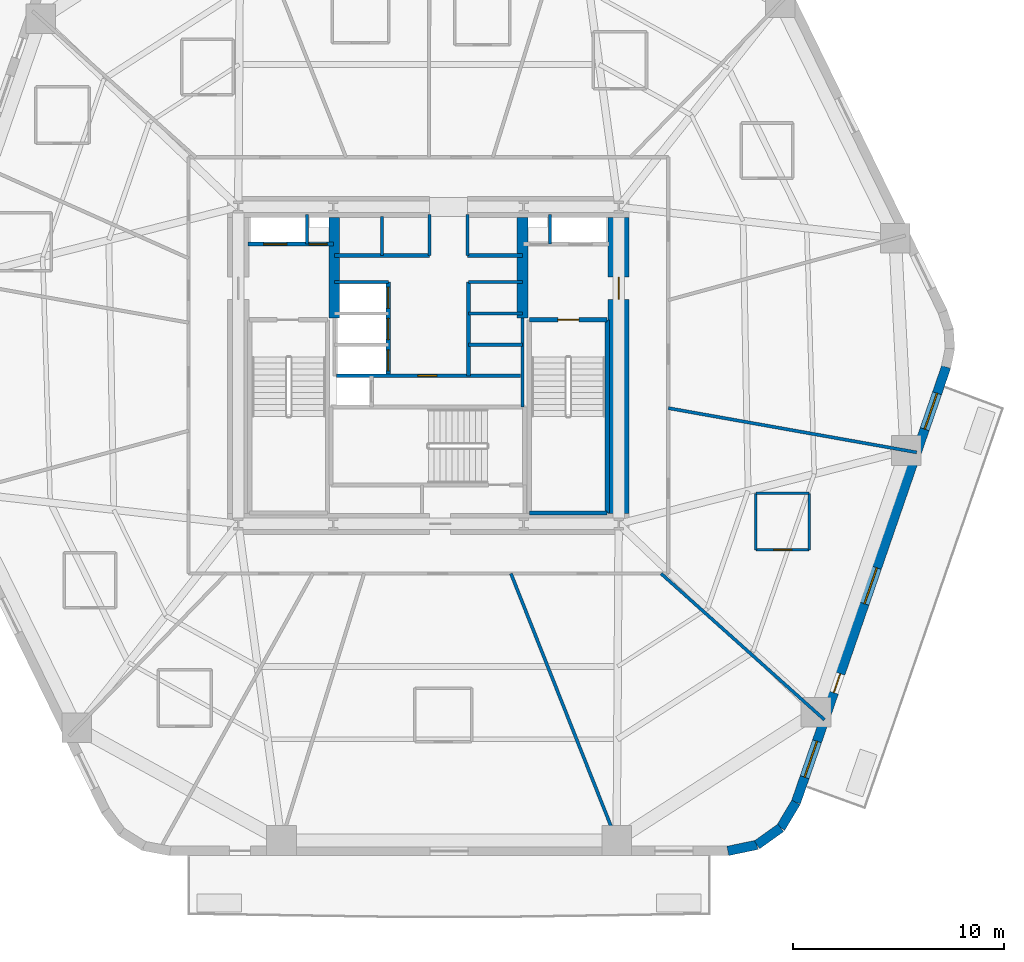
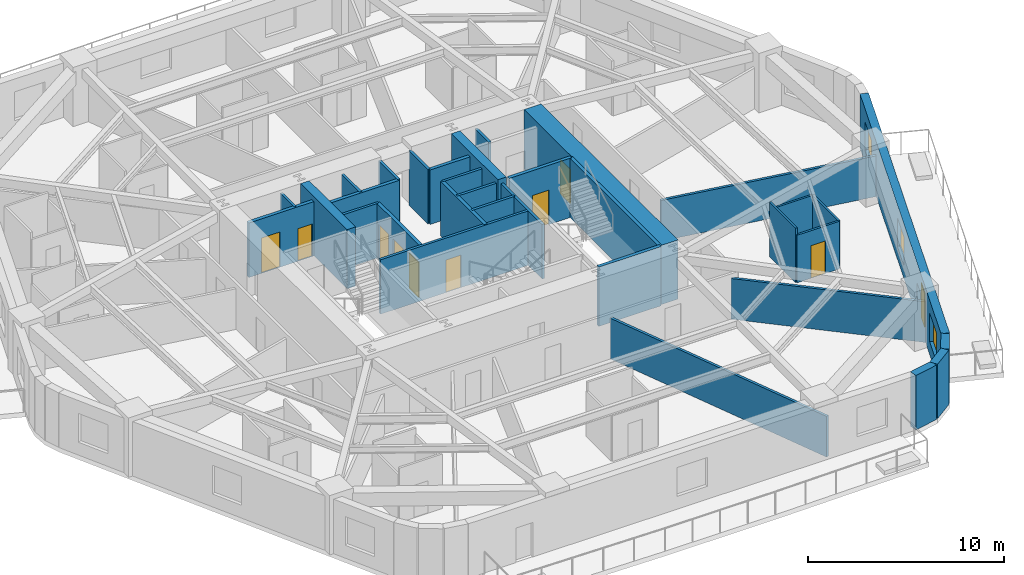
# One storey, part 4 of 10: 33 walls, 10 doors, 3 windows, 13 openings.
"""IFC4 building model written with IfcOpenShell, lengths in metres."""

import ifcopenshell
import ifcopenshell.guid

model = None  # the IFC model being written
_history = None  # IfcOwnerHistory: only IFC2X3 demands one
_inside = {}  # id of a spatial element -> (the spatial element, [elements in it])
_under = {}  # id of a project, library or spatial element -> (it, [spatial elements below it])
_declared = {}  # id of a project -> (the project, [libraries it declares])
_typed = {}  # id of a type object -> (the type object, [elements of that type])
_made_of = {}  # id of a material, layer set ... -> (it, [elements and type objects made of it])


def new_model(schema):
    """Start an empty IFC model of exactly this schema.

    Asked for "IFC4X3", IfcOpenShell would pick the latest addendum, in which some entities
    have other attributes; the version numbers below select the first issue.
    IFC2X3 requires an IfcOwnerHistory on every rooted entity: one is made here for all.
    """
    global model, _history
    if schema == "IFC4X3":
        model = ifcopenshell.file(schema_version=(4, 3, 0, 0))
    else:
        model = ifcopenshell.file(schema=schema)
    _inside.clear()
    _under.clear()
    _declared.clear()
    _typed.clear()
    _made_of.clear()
    _history = None
    if model.schema == "IFC2X3":
        org = make("IfcOrganization", Name="unknown")
        user = make(
            "IfcPersonAndOrganization",
            ThePerson=make("IfcPerson", FamilyName="unknown"),
            TheOrganization=org,
        )
        app = make(
            "IfcApplication",
            ApplicationDeveloper=org,
            Version="unknown",
            ApplicationFullName="unknown",
            ApplicationIdentifier="unknown",
        )
        _history = make(
            "IfcOwnerHistory",
            OwningUser=user,
            OwningApplication=app,
            ChangeAction="ADDED",
            CreationDate=0,
        )
    return model


def make(cls, **values):
    """One entity of the class cls with the attributes given. An attribute that is None is left unset."""
    return model.create_entity(
        cls, **{name: value for name, value in values.items() if value is not None}
    )


def rooted(cls, **values):
    """An entity with a GlobalId (a new one), such as an element, a storey or a relation."""
    return make(cls, GlobalId=ifcopenshell.guid.new(), OwnerHistory=_history, **values)


def si_unit(unit_type, name, prefix=None):
    """IfcSIUnit, for example si_unit("LENGTHUNIT", "METRE", prefix="MILLI")."""
    return make("IfcSIUnit", UnitType=unit_type, Prefix=prefix, Name=name)


def assignment(units):
    """IfcUnitAssignment: the units of a project."""
    return None if units is None else make("IfcUnitAssignment", Units=units)


def point(xyz):
    """IfcCartesianPoint."""
    return None if xyz is None else make("IfcCartesianPoint", Coordinates=xyz)


def direction(xyz):
    """IfcDirection."""
    return None if xyz is None else make("IfcDirection", DirectionRatios=xyz)


def frame(location, z_axis=None, x_axis=None):
    """IfcAxis2Placement3D, a coordinate frame: its origin and axes. An axis left out is left unset."""
    return make(
        "IfcAxis2Placement3D",
        Location=point(location),
        Axis=direction(z_axis),
        RefDirection=direction(x_axis),
    )


def frame_2d(location, x_axis=None):
    """IfcAxis2Placement2D, a coordinate frame in the plane: its origin and x axis."""
    return make(
        "IfcAxis2Placement2D", Location=point(location), RefDirection=direction(x_axis)
    )


def origin():
    """The frame at (0, 0, 0) with its axes left unset."""
    return frame((0.0, 0.0, 0.0))


def place(relative_to, where):
    """IfcLocalPlacement: puts the frame where relative to a parent placement (None: the world)."""
    return make(
        "IfcLocalPlacement", PlacementRelTo=relative_to, RelativePlacement=where
    )


def context(
    kind, dimensions, precision=None, world=None, true_north=None, identifier=None
):
    """IfcGeometricRepresentationContext, for example the 3D "Model" context."""
    return make(
        "IfcGeometricRepresentationContext",
        ContextIdentifier=identifier,
        ContextType=kind,
        CoordinateSpaceDimension=dimensions,
        Precision=precision,
        WorldCoordinateSystem=world,
        TrueNorth=true_north,
    )


def subcontext(parent, identifier, kind, view, scale=None):
    """IfcGeometricRepresentationSubContext, for example "Body" below "Model"."""
    return make(
        "IfcGeometricRepresentationSubContext",
        ContextIdentifier=identifier,
        ContextType=kind,
        ParentContext=parent,
        TargetScale=scale,
        TargetView=view,
    )


def project(units=None, contexts=None):
    """IfcProject with its units and contexts."""
    return rooted(
        "IfcProject",
        Name="project",
        RepresentationContexts=contexts,
        UnitsInContext=assignment(units),
    )


def spatial(cls, under=None, at=None, **own):
    """A site, building, storey or space (cls), placed at a placement, below another one or the project."""
    s = rooted(cls, ObjectPlacement=at, **own)
    if under is not None:
        _under.setdefault(under.id(), (under, []))[1].append(s)
    return s


def profile(cls, at=None, kind="AREA", **sizes):
    """A parametric profile (cls). Its sizes go by their IFC names, for example OverallWidth=200.0."""
    return make(cls, ProfileType=kind, Position=at, **sizes)


def rectangle(**sizes):
    """IfcRectangleProfileDef."""
    return profile("IfcRectangleProfileDef", **sizes)


def extrude(swept, where, along, depth):
    """IfcExtrudedAreaSolid: the profile swept, set in the frame where, extruded along a direction by depth."""
    return make(
        "IfcExtrudedAreaSolid",
        SweptArea=swept,
        Position=where,
        ExtrudedDirection=direction(along),
        Depth=depth,
    )


def shape(context_of_items, identifier, shape_type, items):
    """IfcShapeRepresentation: the items that make up one representation, for example the "Body"."""
    return make(
        "IfcShapeRepresentation",
        ContextOfItems=context_of_items,
        RepresentationIdentifier=identifier,
        RepresentationType=shape_type,
        Items=items,
    )


def material(Name=None, Category=None):
    """IfcMaterial."""
    return make("IfcMaterial", Name=Name, Category=Category)


def layer(
    of_material, thickness, ventilated=None, Name=None, Category=None, Priority=None
):
    """IfcMaterialLayer: one layer of a wall or slab, of a material (None: an air gap)."""
    return make(
        "IfcMaterialLayer",
        Material=of_material,
        LayerThickness=thickness,
        IsVentilated=ventilated,
        Name=Name,
        Category=Category,
        Priority=Priority,
    )


def layer_set(layers, Name=None):
    """IfcMaterialLayerSet."""
    return make("IfcMaterialLayerSet", MaterialLayers=layers, LayerSetName=Name)


def made_of(thing, what):
    """Note that an element or type object is made of a material, layer set ...; save() writes the relation."""
    if what is not None:
        _made_of.setdefault(what.id(), (what, []))[1].append(thing)
    return thing


def type_object(cls, material=None, **own):
    """A type object (cls), such as IfcWallType, which elements share."""
    return made_of(rooted(cls, **own), material)


def element(
    cls,
    number,
    at=None,
    inside=None,
    cuts=None,
    type_object=None,
    material=None,
    context=None,
    identifier="Body",
    shape_type=None,
    held_by="IfcProductDefinitionShape",
    body=None,
    shapes=None,
    **own,
):
    """One element of the class cls, such as IfcWall. Its Tag is "e" and its number.

    at: its placement. inside: the storey or other place that contains it. cuts: it is an
    opening in that element (IfcRelVoidsElement). A single representation is given by context,
    identifier, shape_type and body (its items); several are given by shapes. held_by: the class
    of the entity that holds the representations. save() writes the other relations.
    """
    e = rooted(cls, Tag="e%d" % number, ObjectPlacement=at, **own)
    if body is not None:
        shapes = [shape(context, identifier, shape_type, body)]
    if shapes is not None:
        e.Representation = make(held_by, Representations=shapes)
    if inside is not None:
        _inside.setdefault(inside.id(), (inside, []))[1].append(e)
    if cuts is not None:
        rooted(
            "IfcRelVoidsElement", RelatingBuildingElement=cuts, RelatedOpeningElement=e
        )
    if type_object is not None:
        _typed.setdefault(type_object.id(), (type_object, []))[1].append(e)
    return made_of(e, material)


def fill(opening, filler):
    """IfcRelFillsElement: the door or window that sits in an opening."""
    return rooted(
        "IfcRelFillsElement",
        RelatingOpeningElement=opening,
        RelatedBuildingElement=filler,
    )


def aggregate(whole, parts):
    """IfcRelAggregates: a whole, such as a stair, and the parts it consists of."""
    return rooted("IfcRelAggregates", RelatingObject=whole, RelatedObjects=parts)


def save(model, path):
    """Write the relations noted so far, then the file.

    IfcRelAggregates (storeys below a building ...), IfcRelContainedInSpatialStructure (elements
    in a storey), IfcRelDefinesByType, IfcRelAssociatesMaterial and IfcRelDeclares: one each for
    every whole, place, type object, material and project.
    """
    for whole, parts in _under.values():
        aggregate(whole, parts)
    for where, things in _inside.values():
        rooted(
            "IfcRelContainedInSpatialStructure",
            RelatedElements=things,
            RelatingStructure=where,
        )
    for kind, things in _typed.values():
        rooted("IfcRelDefinesByType", RelatedObjects=things, RelatingType=kind)
    for what, things in _made_of.values():
        rooted("IfcRelAssociatesMaterial", RelatedObjects=things, RelatingMaterial=what)
    for by, libraries in _declared.values():
        rooted("IfcRelDeclares", RelatingContext=by, RelatedDefinitions=libraries)
    model.write(path)


model = new_model("IFC4")

# Units and contexts
model_context = context("Model", 3, precision=1e-05, world=origin(), true_north=direction((0.0, 1.0)))
body_context = subcontext(model_context, "Body", "Model", "MODEL_VIEW")
ifc_project = project(units=[si_unit("LENGTHUNIT", "METRE"), si_unit("AREAUNIT", "SQUARE_METRE"), si_unit("VOLUMEUNIT", "CUBIC_METRE"), si_unit("PLANEANGLEUNIT", "RADIAN"), si_unit("MASSUNIT", "GRAM", prefix="KILO")], contexts=[model_context])

# Site, building, storey
site_placement = place(None, origin())
site = spatial("IfcSite", under=ifc_project, at=site_placement, CompositionType="ELEMENT")
building_placement = place(site_placement, origin())
building = spatial("IfcBuilding", under=site, at=building_placement, Name="Kilnhurst Terrace Hotel", CompositionType="ELEMENT")
storey_placement = place(building_placement, frame((0.0, 0.0, 74.89990234375)))
storey = spatial("IfcBuildingStorey", under=building, at=storey_placement, Name="L17", CompositionType="ELEMENT", Elevation=74.89990234375)

# Walls
ifc_material_1 = material(Name="Precast concrete C40/50", Category="concrete")
ifc_layer_1 = layer(ifc_material_1, 0.449951171875, Name="Precast concrete C40/50")
ifc_layer_set_1 = layer_set([ifc_layer_1], Name="Precast concrete C40/50")
wall_type_1 = type_object("IfcWallType", Name="WL-BRK-450", PredefinedType="SOLIDWALL", material=ifc_layer_set_1)
wall_1_placement = place(storey_placement, frame((14.168212890625, -22.97509765625, 0.0), z_axis=(0.0, 0.0, 1.0), x_axis=(0.978770371074, 0.204959900243, 0.0)))
element("IfcWall", 1, at=wall_1_placement, inside=storey, type_object=wall_type_1, Name="L17 Rounded Corner Brick Wall C2.1", PredefinedType="SOLIDWALL", context=body_context, shape_type="SweptSolid", body=[
    extrude(rectangle(XDim=1.405517578125, YDim=0.449951171875, at=frame_2d((0.70263671875, 0.0))), origin(), (0.0, 0.0, 1.0), 3.400146484375),
])
wall_2_placement = place(storey_placement, frame((15.5439453125, -22.68701171875, 0.0), z_axis=(0.0, 0.0, 1.0), x_axis=(0.814210854316, 0.580569276412, 0.0)))
element("IfcWall", 2, at=wall_2_placement, inside=storey, type_object=wall_type_1, Name="L17 Rounded Corner Brick Wall C2.2", PredefinedType="SOLIDWALL", context=body_context, shape_type="SweptSolid", body=[
    extrude(rectangle(XDim=1.38134765625, YDim=0.449951171875, at=frame_2d((0.690673828125, 0.0))), origin(), (0.0, 0.0, 1.0), 3.400146484375),
])
wall_3_placement = place(storey_placement, frame((16.668701171875, -21.885009765625, 0.0), z_axis=(0.0, 0.0, 1.0), x_axis=(0.512936712947, 0.858426425799, 0.0)))
element("IfcWall", 3, at=wall_3_placement, inside=storey, type_object=wall_type_1, Name="L17 Rounded Corner Brick Wall C2.3", PredefinedType="SOLIDWALL", context=body_context, shape_type="SweptSolid", body=[
    extrude(rectangle(XDim=1.405517578125, YDim=0.449951171875, at=frame_2d((0.70263671875, 0.0))), origin(), (0.0, 0.0, 1.0), 3.400146484375),
])

# Wall, openings, door, windows
wall_4_placement = place(storey_placement, frame((17.3896484375, -20.678466796875, 0.0), z_axis=(0.0, 0.0, 1.0), x_axis=(0.326068018294, 0.945346310854, 0.0)))
wall_4 = element("IfcWall", 4, at=wall_4_placement, inside=storey, type_object=wall_type_1, Name="L17 Exterior Brick Facade Wall F2", PredefinedType="SOLIDWALL", context=body_context, shape_type="SweptSolid", body=[
    extrude(rectangle(XDim=21.79296875, YDim=0.449951171875, at=frame_2d((10.896484375, 0.0))), origin(), (0.0, 0.0, 1.0), 3.400146484375),
])
opening_1_placement = place(wall_4_placement, frame((5.492919921875, 0.0, 0.0)))
opening_1 = element("IfcOpeningElement", 5, at=opening_1_placement, cuts=wall_4, Name="Opening BD-950", PredefinedType="OPENING", context=body_context, shape_type="SweptSolid", body=[
    extrude(rectangle(XDim=0.949951171875, YDim=2.14990234375, at=frame_2d((0.47509765625, 1.074951171875))), frame((0.0, 0.23486328125, 0.0), z_axis=(0.0, -1.0, 0.0), x_axis=(1.0, 0.0, 0.0)), (0.0, 0.0, 1.0), 0.469970703125),
])
opening_2_placement = place(wall_4_placement, frame((1.260009765625, 0.0, 0.800048828125)))
opening_2 = element("IfcOpeningElement", 6, at=opening_2_placement, cuts=wall_4, Name="Opening W-01", PredefinedType="OPENING", context=body_context, shape_type="SweptSolid", body=[
    extrude(rectangle(XDim=1.800048828125, YDim=1.800048828125, at=frame_2d((0.89990234375, 0.89990234375))), frame((0.0, 0.23486328125, 0.0), z_axis=(0.0, -1.0, 0.0), x_axis=(1.0, 0.0, 0.0)), (0.0, 0.0, 1.0), 0.469970703125),
])
opening_3_placement = place(wall_4_placement, frame((9.943115234375, 0.0, 0.800048828125)))
opening_3 = element("IfcOpeningElement", 7, at=opening_3_placement, cuts=wall_4, Name="Opening W-01", PredefinedType="OPENING", context=body_context, shape_type="SweptSolid", body=[
    extrude(rectangle(XDim=1.800048828125, YDim=1.800048828125, at=frame_2d((0.89990234375, 0.89990234375))), frame((0.0, 0.23486328125, 0.0), z_axis=(0.0, -1.0, 0.0), x_axis=(1.0, 0.0, 0.0)), (0.0, 0.0, 1.0), 0.469970703125),
])
opening_4_placement = place(wall_4_placement, frame((18.679931640625, 0.0, 0.800048828125)))
opening_4 = element("IfcOpeningElement", 8, at=opening_4_placement, cuts=wall_4, Name="Opening W-01", PredefinedType="OPENING", context=body_context, shape_type="SweptSolid", body=[
    extrude(rectangle(XDim=1.800048828125, YDim=1.800048828125, at=frame_2d((0.89990234375, 0.89990234375))), frame((0.0, 0.23486328125, 0.0), z_axis=(0.0, -1.0, 0.0), x_axis=(1.0, 0.0, 0.0)), (0.0, 0.0, 1.0), 0.469970703125),
])
ifc_material_2 = material(Name="Thermally Broken Bronze Aluminium Alloy 6063-T6 and Laminated Glass", Category="aluminium")
door_type_1 = type_object("IfcDoorType", Name="DR-EXT-BAL-950", OperationType="NOTDEFINED", PredefinedType="DOOR", material=ifc_material_2)
door_1_placement = place(opening_1_placement, origin())
door_1 = element("IfcDoor", 9, at=door_1_placement, inside=storey, type_object=door_type_1, Name="L17 Planted Balcony Door BAL-L1B", OperationType="SINGLE_SWING_RIGHT", OverallHeight=2.14990234375, OverallWidth=0.949951171875, PredefinedType="DOOR", context=body_context, shape_type="SweptSolid", body=[
    extrude(rectangle(XDim=0.949951171875, YDim=2.14990234375, at=frame_2d((0.47509765625, 1.074951171875))), frame((0.0, 0.02490234375, 0.0), z_axis=(0.0, -1.0, 0.0), x_axis=(1.0, 0.0, 0.0)), (0.0, 0.0, 1.0), 0.050048828125),
])
fill(opening_1, door_1)
ifc_material_3 = material(Name="Thermally Broken Bronze Aluminium Alloy 6063-T6 and Low-E Glass", Category="aluminium")
window_type = type_object("IfcWindowType", Name="WIN-1800X1800", PartitioningType="SINGLE_PANEL", PredefinedType="WINDOW", material=ifc_material_3)
window_1_placement = place(opening_2_placement, origin())
window_1 = element("IfcWindow", 10, at=window_1_placement, inside=storey, type_object=window_type, Name="L17 Deep-Set Masonry Window F2.1", OverallHeight=1.800048828125, OverallWidth=1.800048828125, PartitioningType="SINGLE_PANEL", PredefinedType="WINDOW", context=body_context, shape_type="SweptSolid", body=[
    extrude(rectangle(XDim=1.800048828125, YDim=1.800048828125, at=frame_2d((0.89990234375, 0.89990234375))), frame((0.0, 0.030029296875, 0.0), z_axis=(0.0, -1.0, 0.0), x_axis=(1.0, 0.0, 0.0)), (0.0, 0.0, 1.0), 0.06005859375),
])
fill(opening_2, window_1)
window_2_placement = place(opening_3_placement, origin())
window_2 = element("IfcWindow", 11, at=window_2_placement, inside=storey, type_object=window_type, Name="L17 Deep-Set Masonry Window F2.2", OverallHeight=1.800048828125, OverallWidth=1.800048828125, PartitioningType="SINGLE_PANEL", PredefinedType="WINDOW", context=body_context, shape_type="SweptSolid", body=[
    extrude(rectangle(XDim=1.800048828125, YDim=1.800048828125, at=frame_2d((0.89990234375, 0.89990234375))), frame((0.0, 0.030029296875, 0.0), z_axis=(0.0, -1.0, 0.0), x_axis=(1.0, 0.0, 0.0)), (0.0, 0.0, 1.0), 0.06005859375),
])
fill(opening_3, window_2)
window_3_placement = place(opening_4_placement, origin())
window_3 = element("IfcWindow", 12, at=window_3_placement, inside=storey, type_object=window_type, Name="L17 Deep-Set Masonry Window F2.3", OverallHeight=1.800048828125, OverallWidth=1.800048828125, PartitioningType="SINGLE_PANEL", PredefinedType="WINDOW", context=body_context, shape_type="SweptSolid", body=[
    extrude(rectangle(XDim=1.800048828125, YDim=1.800048828125, at=frame_2d((0.89990234375, 0.89990234375))), frame((0.0, 0.030029296875, 0.0), z_axis=(0.0, -1.0, 0.0), x_axis=(1.0, 0.0, 0.0)), (0.0, 0.0, 1.0), 0.06005859375),
])
fill(opening_4, window_3)

# Wall, opening, door
ifc_material_4 = material(Name="Concrete C80/95", Category="concrete")
ifc_layer_2 = layer(ifc_material_4, 1.0, Name="Concrete C80/95")
ifc_layer_set_2 = layer_set([ifc_layer_2], Name="Concrete C80/95")
wall_type_2 = type_object("IfcWallType", Name="WL-CORE-1000", PredefinedType="SHEAR", material=ifc_layer_set_2)
wall_5_placement = place(storey_placement, frame((9.0, -7.0, 0.0), z_axis=(0.0, 0.0, 1.0), x_axis=(0.0, 1.0, 0.0)))
wall_5 = element("IfcWall", 13, at=wall_5_placement, inside=storey, type_object=wall_type_2, Name="L17 Core East Shear Wall", PredefinedType="SHEAR", context=body_context, shape_type="SweptSolid", body=[
    extrude(rectangle(XDim=14.0, YDim=1.0, at=frame_2d((7.0, 0.0))), origin(), (0.0, 0.0, 1.0), 3.7001953125),
])
opening_5_placement = place(wall_5_placement, frame((10.125, 0.0, 0.0)))
opening_5 = element("IfcOpeningElement", 14, at=opening_5_placement, cuts=wall_5, Name="Opening D-90A", PredefinedType="OPENING", context=body_context, shape_type="SweptSolid", body=[
    extrude(rectangle(XDim=1.050048828125, YDim=2.14990234375, at=frame_2d((0.52490234375, 1.074951171875))), frame((0.0, 0.510009765625, 0.0), z_axis=(0.0, -1.0, 0.0), x_axis=(1.0, 0.0, 0.0)), (0.0, 0.0, 1.0), 1.02001953125),
])
ifc_material_5 = material(Name="Painted Hollow Metal Steel ASTM A36 Fire Door", Category="steel")
door_type_2 = type_object("IfcDoorType", Name="DR-FD90-1050", OperationType="NOTDEFINED", PredefinedType="DOOR", material=ifc_material_5)
door_2_placement = place(opening_5_placement, origin())
door_2 = element("IfcDoor", 15, at=door_2_placement, inside=storey, type_object=door_type_2, Name="L17 East Firefighting Lobby Door", OperationType="SINGLE_SWING_LEFT", OverallHeight=2.14990234375, OverallWidth=1.050048828125, PredefinedType="DOOR", context=body_context, shape_type="SweptSolid", body=[
    extrude(rectangle(XDim=1.050048828125, YDim=2.14990234375, at=frame_2d((0.52490234375, 1.074951171875))), frame((0.0, 0.02490234375, 0.0), z_axis=(0.0, -1.0, 0.0), x_axis=(1.0, 0.0, 0.0)), (0.0, 0.0, 1.0), 0.050048828125),
])
fill(opening_5, door_2)

# Walls
ifc_material_6 = material(Name="Concrete C60/75", Category="concrete")
ifc_layer_3 = layer(ifc_material_6, 0.5, Name="Concrete C60/75")
ifc_layer_set_3 = layer_set([ifc_layer_3], Name="Concrete C60/75")
wall_type_3 = type_object("IfcWallType", Name="WL-CORE-WEB-500", PredefinedType="SHEAR", material=ifc_layer_set_3)
for number, where, z_axis, x_axis, name in (
    (16, (-4.449951171875, 2.25, 0.0), (0.0, 0.0, 1.0), (0.0, 1.0, 0.0), "L17 Core Internal West Shear Web"),
    (17, (4.449951171875, 2.25, 0.0), (0.0, 0.0, 1.0), (0.0, 1.0, 0.0), "L17 Core Internal East Shear Web"),
):
    element("IfcWall", number, at=place(storey_placement, frame(where, z_axis=z_axis, x_axis=x_axis)), inside=storey, type_object=wall_type_3, Name=name, PredefinedType="SHEAR", context=body_context, shape_type="SweptSolid", body=[
        extrude(rectangle(XDim=4.75, YDim=0.5, at=frame_2d((2.375, 0.0))), origin(), (0.0, 0.0, 1.0), 3.7001953125),
    ])
ifc_material_7 = material(Name="STC-58 Acoustic Twin-Frame Guestroom Demising Partition")
ifc_layer_4 = layer(ifc_material_7, 0.14990234375, Name="STC-58 Acoustic Twin-Frame Guestroom Demising Partition")
ifc_layer_set_4 = layer_set([ifc_layer_4], Name="STC-58 Acoustic Twin-Frame Guestroom Demising Partition")
wall_type_4 = type_object("IfcWallType", Name="WL-DEM-150", PredefinedType="PARTITIONING", material=ifc_layer_set_4)
wall_6_placement = place(storey_placement, frame((3.90185546875, -9.85009765625, 0.0), z_axis=(0.0, 0.0, 1.0), x_axis=(0.36828765711, -0.929711891728, 0.0)))
element("IfcWall", 18, at=wall_6_placement, inside=storey, type_object=wall_type_4, Name="L17 Interior Wall WL-L17-DEM-COL10-13-1", PredefinedType="PARTITIONING", context=body_context, shape_type="SweptSolid", body=[
    extrude(rectangle(XDim=14.1171875, YDim=0.14990234375, at=frame_2d((7.05859375, 0.0))), origin(), (0.0, 0.0, 1.0), 2.5400390625),
])
wall_7_placement = place(storey_placement, frame((11.006591796875, -9.85009765625, 0.0), z_axis=(0.0, 0.0, 1.0), x_axis=(0.745177305978, -0.666866390407, 0.0)))
element("IfcWall", 19, at=wall_7_placement, inside=storey, type_object=wall_type_4, Name="L17 Interior Wall WL-L17-DEM-COL11-14-1", PredefinedType="PARTITIONING", context=body_context, shape_type="SweptSolid", body=[
    extrude(rectangle(XDim=10.375244140625, YDim=0.14990234375, at=frame_2d((5.1875, 0.0))), origin(), (0.0, 0.0, 1.0), 2.5400390625),
])
wall_8_placement = place(storey_placement, frame((11.35009765625, -2.022705078125, 0.0), z_axis=(0.0, 0.0, 1.0), x_axis=(0.984493741877, -0.17541970301, 0.0)))
element("IfcWall", 20, at=wall_8_placement, inside=storey, type_object=wall_type_4, Name="L17 Interior Wall WL-L17-DEM-COL12-15-1", PredefinedType="PARTITIONING", context=body_context, shape_type="SweptSolid", body=[
    extrude(rectangle(XDim=11.93701171875, YDim=0.14990234375, at=frame_2d((5.968505859375, 0.0))), origin(), (0.0, 0.0, 1.0), 2.5400390625),
])

# Wall, opening, door
ifc_material_8 = material(Name="120 mm Moisture-Resistant Tile-Backed Bathroom Partition")
ifc_layer_5 = layer(ifc_material_8, 0.1201171875, Name="120 mm Moisture-Resistant Tile-Backed Bathroom Partition")
ifc_layer_set_5 = layer_set([ifc_layer_5], Name="120 mm Moisture-Resistant Tile-Backed Bathroom Partition")
wall_type_5 = type_object("IfcWallType", Name="WL-PART-120", PredefinedType="PARTITIONING", material=ifc_layer_set_5)
wall_9_placement = place(storey_placement, frame((15.49609375, -8.73291015625, 0.0), z_axis=(0.0, 0.0, 1.0), x_axis=(1.0, 0.0, 0.0)))
wall_9 = element("IfcWall", 21, at=wall_9_placement, inside=storey, type_object=wall_type_5, Name="L17 Interior Wall WL-L17-BTH-14-1", PredefinedType="PARTITIONING", context=body_context, shape_type="SweptSolid", body=[
    extrude(rectangle(XDim=2.52001953125, YDim=0.1201171875, at=frame_2d((1.260009765625, 0.0))), origin(), (0.0, 0.0, 1.0), 2.972412109375),
])
opening_6_placement = place(wall_9_placement, frame((0.8349609375, 0.0, 0.0)))
opening_6 = element("IfcOpeningElement", 22, at=opening_6_placement, cuts=wall_9, Name="Opening D-08A", PredefinedType="OPENING", context=body_context, shape_type="SweptSolid", body=[
    extrude(rectangle(XDim=0.85009765625, YDim=2.030029296875, at=frame_2d((0.425048828125, 1.01513671875))), frame((0.0, 0.070068359375, 0.0), z_axis=(0.0, -1.0, 0.0), x_axis=(1.0, 0.0, 0.0)), (0.0, 0.0, 1.0), 0.14013671875),
])
ifc_material_9 = material(Name="Moisture-Resistant Lacquered En-suite Bathroom Door")
door_type_3 = type_object("IfcDoorType", Name="DR-INT-850", OperationType="NOTDEFINED", PredefinedType="DOOR", material=ifc_material_9)
door_3_placement = place(opening_6_placement, origin())
door_3 = element("IfcDoor", 23, at=door_3_placement, inside=storey, type_object=door_type_3, Name="L17 En-suite Bathroom Door 14", OperationType="SINGLE_SWING_LEFT", OverallHeight=2.030029296875, OverallWidth=0.85009765625, PredefinedType="DOOR", context=body_context, shape_type="SweptSolid", body=[
    extrude(rectangle(XDim=0.85009765625, YDim=2.030029296875, at=frame_2d((0.425048828125, 1.01513671875))), frame((0.0, 0.02490234375, 0.0), z_axis=(0.0, -1.0, 0.0), x_axis=(1.0, 0.0, 0.0)), (0.0, 0.0, 1.0), 0.050048828125),
])
fill(opening_6, door_3)

# Walls
wall_10_placement = place(storey_placement, frame((18.01611328125, -8.73291015625, 0.0), z_axis=(0.0, 0.0, 1.0), x_axis=(0.0, 1.0, 0.0)))
element("IfcWall", 24, at=wall_10_placement, inside=storey, type_object=wall_type_5, Name="L17 Interior Wall WL-L17-BTH-14-2", PredefinedType="PARTITIONING", context=body_context, shape_type="SweptSolid", body=[
    extrude(rectangle(XDim=2.679931640625, YDim=0.1201171875, at=frame_2d((1.33984375, 0.0))), origin(), (0.0, 0.0, 1.0), 2.972412109375),
])
wall_11_placement = place(storey_placement, frame((18.01611328125, -6.052978515625, 0.0), z_axis=(0.0, 0.0, 1.0), x_axis=(-1.0, 0.0, 0.0)))
element("IfcWall", 25, at=wall_11_placement, inside=storey, type_object=wall_type_5, Name="L17 Interior Wall WL-L17-BTH-14-3", PredefinedType="PARTITIONING", context=body_context, shape_type="SweptSolid", body=[
    extrude(rectangle(XDim=2.52001953125, YDim=0.1201171875, at=frame_2d((1.260009765625, 0.0))), origin(), (0.0, 0.0, 1.0), 2.972412109375),
])
wall_12_placement = place(storey_placement, frame((15.49609375, -6.052978515625, 0.0), z_axis=(0.0, 0.0, 1.0), x_axis=(0.0, -1.0, 0.0)))
element("IfcWall", 26, at=wall_12_placement, inside=storey, type_object=wall_type_5, Name="L17 Interior Wall WL-L17-BTH-14-4", PredefinedType="PARTITIONING", context=body_context, shape_type="SweptSolid", body=[
    extrude(rectangle(XDim=2.679931640625, YDim=0.1201171875, at=frame_2d((1.33984375, 0.0))), origin(), (0.0, 0.0, 1.0), 3.400146484375),
])
ifc_material_10 = material(Name="Fire-Rated Gypsum Shaftliner Assembly")
ifc_layer_6 = layer(ifc_material_10, 0.14990234375, Name="Fire-Rated Gypsum Shaftliner Assembly")
ifc_layer_set_6 = layer_set([ifc_layer_6], Name="Fire-Rated Gypsum Shaftliner Assembly")
wall_type_6 = type_object("IfcWallType", Name="WL-SHAFT-150", PredefinedType="PARTITIONING", material=ifc_layer_set_6)
for number, where, z_axis, x_axis, name in (
    (27, (-5.75, 5.739990234375, 0.0), (0.0, 0.0, 1.0), (0.0, 1.0, 0.0), "L17 Interior Wall WL-L17-RIS1-DIV"),
    (28, (5.75, 5.739990234375, 0.0), (0.0, 0.0, 1.0), (0.0, 1.0, 0.0), "L17 Interior Wall WL-L17-RIS2-DIV"),
):
    element("IfcWall", number, at=place(storey_placement, frame(where, z_axis=z_axis, x_axis=x_axis)), inside=storey, type_object=wall_type_6, Name=name, PredefinedType="PARTITIONING", context=body_context, shape_type="SweptSolid", body=[
        extrude(rectangle(XDim=1.409912109375, YDim=0.14990234375, at=frame_2d((0.705078125, 0.0))), origin(), (0.0, 0.0, 1.0), 3.400146484375),
    ])
wall_13_placement = place(storey_placement, frame((-2.199951171875, 5.199951171875, 0.0), z_axis=(0.0, 0.0, 1.0), x_axis=(0.0, 1.0, 0.0)))
element("IfcWall", 29, at=wall_13_placement, inside=storey, type_object=wall_type_6, Name="L17 Interior Wall WL-L17-HR-DIV1", PredefinedType="PARTITIONING", context=body_context, shape_type="SweptSolid", body=[
    extrude(rectangle(XDim=1.85009765625, YDim=0.14990234375, at=frame_2d((0.925048828125, 0.0))), origin(), (0.0, 0.0, 1.0), 3.400146484375),
])
for number, where, z_axis, x_axis, name in (
    (30, (0.050048828125, 5.199951171875, 0.0), (0.0, 0.0, 1.0), (0.0, 1.0, 0.0), "L17 Interior Wall WL-L17-HR-PORTAL-W"),
    (31, (1.85009765625, 5.199951171875, 0.0), (0.0, 0.0, 1.0), (0.0, 1.0, 0.0), "L17 Interior Wall WL-L17-HR-PORTAL-E"),
):
    element("IfcWall", number, at=place(storey_placement, frame(where, z_axis=z_axis, x_axis=x_axis)), inside=storey, type_object=wall_type_6, Name=name, PredefinedType="PARTITIONING", context=body_context, shape_type="SweptSolid", body=[
        extrude(rectangle(XDim=1.949951171875, YDim=0.14990234375, at=frame_2d((0.97509765625, 0.0))), origin(), (0.0, 0.0, 1.0), 3.400146484375),
    ])
wall_14_placement = place(storey_placement, frame((4.449951171875, -1.971923828125, 0.0), z_axis=(0.0, 0.0, 1.0), x_axis=(0.0, 1.0, 0.0)))
element("IfcWall", 32, at=wall_14_placement, inside=storey, type_object=wall_type_6, Name="L17 Interior Wall WL-L17-XLOB-E", PredefinedType="PARTITIONING", context=body_context, shape_type="SweptSolid", body=[
    extrude(rectangle(XDim=4.221923828125, YDim=0.14990234375, at=frame_2d((2.11083984375, 0.0))), origin(), (0.0, 0.0, 1.0), 3.400146484375),
])
for number, where, z_axis, x_axis, name in (
    (33, (-4.449951171875, 3.93994140625, 0.0), (0.0, 0.0, 1.0), (1.0, 0.0, 0.0), "L17 Interior Wall WL-L17-LR-NORTH"),
    (34, (1.89990234375, 3.93994140625, 0.0), (0.0, 0.0, 1.0), (1.0, 0.0, 0.0), "L17 Interior Wall WL-L17-MR-NORTH"),
    (35, (1.89990234375, 0.97998046875, 0.0), (0.0, 0.0, 1.0), (1.0, 0.0, 0.0), "L17 Interior Wall WL-L17-MR-D1"),
    (36, (1.89990234375, 2.4599609375, 0.0), (0.0, 0.0, 1.0), (1.0, 0.0, 0.0), "L17 Interior Wall WL-L17-MR-D2"),
):
    element("IfcWall", number, at=place(storey_placement, frame(where, z_axis=z_axis, x_axis=x_axis)), inside=storey, type_object=wall_type_6, Name=name, PredefinedType="PARTITIONING", context=body_context, shape_type="SweptSolid", body=[
        extrude(rectangle(XDim=2.550048828125, YDim=0.14990234375, at=frame_2d((1.27490234375, 0.0))), origin(), (0.0, 0.0, 1.0), 3.400146484375),
    ])

# Wall, opening, door
wall_15_placement = place(storey_placement, frame((-4.360107421875, -0.489990234375, 0.0), z_axis=(0.0, 0.0, 1.0), x_axis=(1.0, 0.0, 0.0)))
wall_15 = element("IfcWall", 37, at=wall_15_placement, inside=storey, type_object=wall_type_6, Name="L17 Interior Wall WL-L17-BOH-N", PredefinedType="PARTITIONING", context=body_context, shape_type="SweptSolid", body=[
    extrude(rectangle(XDim=8.72021484375, YDim=0.14990234375, at=frame_2d((4.360107421875, 0.0))), origin(), (0.0, 0.0, 1.0), 3.400146484375),
])
opening_7_placement = place(wall_15_placement, frame((3.860107421875, 0.0, 0.0)))
opening_7 = element("IfcOpeningElement", 38, at=opening_7_placement, cuts=wall_15, Name="Opening D-60C", PredefinedType="OPENING", context=body_context, shape_type="SweptSolid", body=[
    extrude(rectangle(XDim=0.89990234375, YDim=2.030029296875, at=frame_2d((0.449951171875, 1.01513671875))), frame((0.0, 0.0849609375, 0.0), z_axis=(0.0, -1.0, 0.0), x_axis=(1.0, 0.0, 0.0)), (0.0, 0.0, 1.0), 0.169921875),
])
ifc_material_11 = material(Name="Painted Solid-Core Service Fire Door")
door_type_4 = type_object("IfcDoorType", Name="DR-FD60-900", OperationType="NOTDEFINED", PredefinedType="DOOR", material=ifc_material_11)
door_4_placement = place(opening_7_placement, origin())
door_4 = element("IfcDoor", 39, at=door_4_placement, inside=storey, type_object=door_type_4, Name="L17 Housekeeping Laundry Door", OperationType="SINGLE_SWING_LEFT", OverallHeight=2.030029296875, OverallWidth=0.89990234375, PredefinedType="DOOR", context=body_context, shape_type="SweptSolid", body=[
    extrude(rectangle(XDim=0.89990234375, YDim=2.030029296875, at=frame_2d((0.449951171875, 1.01513671875))), frame((0.0, 0.02490234375, 0.0), z_axis=(0.0, -1.0, 0.0), x_axis=(1.0, 0.0, 0.0)), (0.0, 0.0, 1.0), 0.050048828125),
])
fill(opening_7, door_4)

# Wall, openings, doors
ifc_material_12 = material(Name="Autoclaved Aerated Concrete C30/37 and Gypsum Shaft Assembly", Category="concrete")
ifc_layer_7 = layer(ifc_material_12, 0.199951171875, Name="Autoclaved Aerated Concrete C30/37 and Gypsum Shaft Assembly")
ifc_layer_set_7 = layer_set([ifc_layer_7], Name="Autoclaved Aerated Concrete C30/37 and Gypsum Shaft Assembly")
wall_type_7 = type_object("IfcWallType", Name="WL-SHAFT-200", PredefinedType="PARTITIONING", material=ifc_layer_set_7)
wall_16_placement = place(storey_placement, frame((-8.550048828125, 5.739990234375, 0.0), z_axis=(0.0, 0.0, 1.0), x_axis=(1.0, 0.0, 0.0)))
wall_16 = element("IfcWall", 40, at=wall_16_placement, inside=storey, type_object=wall_type_7, Name="L17 Interior Wall WL-L17-FSAE1-S", PredefinedType="PARTITIONING", context=body_context, shape_type="SweptSolid", body=[
    extrude(rectangle(XDim=4.050048828125, YDim=0.199951171875, at=frame_2d((2.02490234375, 0.0))), origin(), (0.0, 0.0, 1.0), 3.400146484375),
])
opening_8_placement = place(wall_16_placement, frame((0.75, 0.0, 0.0)))
opening_8 = element("IfcOpeningElement", 41, at=opening_8_placement, cuts=wall_16, Name="Opening LD-F1", PredefinedType="OPENING", context=body_context, shape_type="SweptSolid", body=[
    extrude(rectangle(XDim=1.10009765625, YDim=2.199951171875, at=frame_2d((0.550048828125, 1.10009765625))), frame((0.0, 0.10986328125, 0.0), z_axis=(0.0, -1.0, 0.0), x_axis=(1.0, 0.0, 0.0)), (0.0, 0.0, 1.0), 0.219970703125),
])
opening_9_placement = place(wall_16_placement, frame((2.89990234375, 0.0, 0.0)))
opening_9 = element("IfcOpeningElement", 42, at=opening_9_placement, cuts=wall_16, Name="Opening D-60D", PredefinedType="OPENING", context=body_context, shape_type="SweptSolid", body=[
    extrude(rectangle(XDim=0.85009765625, YDim=2.030029296875, at=frame_2d((0.425048828125, 1.01513671875))), frame((0.0, 0.10986328125, 0.0), z_axis=(0.0, -1.0, 0.0), x_axis=(1.0, 0.0, 0.0)), (0.0, 0.0, 1.0), 0.219970703125),
])
ifc_material_13 = material(Name="Painted Hollow Metal Steel ASTM A36 Riser Door", Category="steel")
door_type_5 = type_object("IfcDoorType", Name="DR-FD60-850", OperationType="NOTDEFINED", PredefinedType="DOOR", material=ifc_material_13)
door_5_placement = place(opening_9_placement, origin())
door_5 = element("IfcDoor", 43, at=door_5_placement, inside=storey, type_object=door_type_5, Name="L17 Electrical Riser Door", OperationType="SINGLE_SWING_LEFT", OverallHeight=2.030029296875, OverallWidth=0.85009765625, PredefinedType="DOOR", context=body_context, shape_type="SweptSolid", body=[
    extrude(rectangle(XDim=0.85009765625, YDim=2.030029296875, at=frame_2d((0.425048828125, 1.01513671875))), frame((0.0, 0.02490234375, 0.0), z_axis=(0.0, -1.0, 0.0), x_axis=(1.0, 0.0, 0.0)), (0.0, 0.0, 1.0), 0.050048828125),
])
fill(opening_9, door_5)
ifc_material_14 = material(Name="Bronze-Anodized Stainless Steel AISI 316L Sliding Door", Category="steel")
door_type_6 = type_object("IfcDoorType", Name="DR-LIFT-1100", OperationType="NOTDEFINED", PredefinedType="DOOR", material=ifc_material_14)
door_6_placement = place(opening_8_placement, origin())
door_6 = element("IfcDoor", 44, at=door_6_placement, inside=storey, type_object=door_type_6, Name="L17 FSAE-1 Landing Door", OperationType="SLIDING_TO_LEFT", OverallHeight=2.199951171875, OverallWidth=1.10009765625, PredefinedType="DOOR", context=body_context, shape_type="SweptSolid", body=[
    extrude(rectangle(XDim=1.10009765625, YDim=2.199951171875, at=frame_2d((0.550048828125, 1.10009765625))), frame((0.0, 0.02490234375, 0.0), z_axis=(0.0, -1.0, 0.0), x_axis=(1.0, 0.0, 0.0)), (0.0, 0.0, 1.0), 0.050048828125),
])
fill(opening_8, door_6)

# Walls
wall_17_placement = place(storey_placement, frame((-4.449951171875, 5.199951171875, 0.0), z_axis=(0.0, 0.0, 1.0), x_axis=(1.0, 0.0, 0.0)))
element("IfcWall", 45, at=wall_17_placement, inside=storey, type_object=wall_type_7, Name="L17 Interior Wall WL-L17-HR-SW", PredefinedType="PARTITIONING", context=body_context, shape_type="SweptSolid", body=[
    extrude(rectangle(XDim=4.5, YDim=0.199951171875, at=frame_2d((2.25, 0.0))), origin(), (0.0, 0.0, 1.0), 3.400146484375),
])
wall_18_placement = place(storey_placement, frame((1.85009765625, 5.199951171875, 0.0), z_axis=(0.0, 0.0, 1.0), x_axis=(1.0, 0.0, 0.0)))
element("IfcWall", 46, at=wall_18_placement, inside=storey, type_object=wall_type_7, Name="L17 Interior Wall WL-L17-HR-SE", PredefinedType="PARTITIONING", context=body_context, shape_type="SweptSolid", body=[
    extrude(rectangle(XDim=2.599853515625, YDim=0.199951171875, at=frame_2d((1.2998046875, 0.0))), origin(), (0.0, 0.0, 1.0), 3.400146484375),
])

# Wall, openings, doors
wall_19_placement = place(storey_placement, frame((-1.89990234375, -0.5, 0.0), z_axis=(0.0, 0.0, 1.0), x_axis=(0.0, 1.0, 0.0)))
wall_19 = element("IfcWall", 47, at=wall_19_placement, inside=storey, type_object=wall_type_7, Name="L17 Interior Wall WL-L17-LR-FRONT", PredefinedType="PARTITIONING", context=body_context, shape_type="SweptSolid", body=[
    extrude(rectangle(XDim=4.43994140625, YDim=0.199951171875, at=frame_2d((2.219970703125, 0.0))), origin(), (0.0, 0.0, 1.0), 3.400146484375),
])
opening_10_placement = place(wall_19_placement, frame((0.239990234375, 0.0, 0.0)))
opening_10 = element("IfcOpeningElement", 48, at=opening_10_placement, cuts=wall_19, Name="Opening LD-LR", PredefinedType="OPENING", context=body_context, shape_type="SweptSolid", body=[
    extrude(rectangle(XDim=1.0, YDim=2.199951171875, at=frame_2d((0.5, 1.10009765625))), frame((0.0, 0.10986328125, 0.0), z_axis=(0.0, -1.0, 0.0), x_axis=(1.0, 0.0, 0.0)), (0.0, 0.0, 1.0), 0.219970703125),
])
opening_11_placement = place(wall_19_placement, frame((1.719970703125, 0.0, 0.0)))
opening_11 = element("IfcOpeningElement", 49, at=opening_11_placement, cuts=wall_19, Name="Opening LD-LR", PredefinedType="OPENING", context=body_context, shape_type="SweptSolid", body=[
    extrude(rectangle(XDim=1.0, YDim=2.199951171875, at=frame_2d((0.5, 1.10009765625))), frame((0.0, 0.10986328125, 0.0), z_axis=(0.0, -1.0, 0.0), x_axis=(1.0, 0.0, 0.0)), (0.0, 0.0, 1.0), 0.219970703125),
])
opening_12_placement = place(wall_19_placement, frame((3.199951171875, 0.0, 0.0)))
opening_12 = element("IfcOpeningElement", 50, at=opening_12_placement, cuts=wall_19, Name="Opening LD-LR", PredefinedType="OPENING", context=body_context, shape_type="SweptSolid", body=[
    extrude(rectangle(XDim=1.0, YDim=2.199951171875, at=frame_2d((0.5, 1.10009765625))), frame((0.0, 0.10986328125, 0.0), z_axis=(0.0, -1.0, 0.0), x_axis=(1.0, 0.0, 0.0)), (0.0, 0.0, 1.0), 0.219970703125),
])
door_type_7 = type_object("IfcDoorType", Name="DR-LIFT-1000", OperationType="NOTDEFINED", PredefinedType="DOOR", material=ifc_material_14)
door_7_placement = place(opening_10_placement, origin())
door_7 = element("IfcDoor", 51, at=door_7_placement, inside=storey, type_object=door_type_7, Name="L17 Low Rise Lift LR-1 Landing Door", OperationType="SLIDING_TO_LEFT", OverallHeight=2.199951171875, OverallWidth=1.0, PredefinedType="DOOR", context=body_context, shape_type="SweptSolid", body=[
    extrude(rectangle(XDim=1.0, YDim=2.199951171875, at=frame_2d((0.5, 1.10009765625))), frame((0.0, 0.02490234375, 0.0), z_axis=(0.0, -1.0, 0.0), x_axis=(1.0, 0.0, 0.0)), (0.0, 0.0, 1.0), 0.050048828125),
])
fill(opening_10, door_7)
door_8_placement = place(opening_11_placement, origin())
door_8 = element("IfcDoor", 52, at=door_8_placement, inside=storey, type_object=door_type_7, Name="L17 Low Rise Lift LR-2 Landing Door", OperationType="SLIDING_TO_LEFT", OverallHeight=2.199951171875, OverallWidth=1.0, PredefinedType="DOOR", context=body_context, shape_type="SweptSolid", body=[
    extrude(rectangle(XDim=1.0, YDim=2.199951171875, at=frame_2d((0.5, 1.10009765625))), frame((0.0, 0.02490234375, 0.0), z_axis=(0.0, -1.0, 0.0), x_axis=(1.0, 0.0, 0.0)), (0.0, 0.0, 1.0), 0.050048828125),
])
fill(opening_11, door_8)
door_9_placement = place(opening_12_placement, origin())
door_9 = element("IfcDoor", 53, at=door_9_placement, inside=storey, type_object=door_type_7, Name="L17 Low Rise Lift LR-3 Landing Door", OperationType="SLIDING_TO_LEFT", OverallHeight=2.199951171875, OverallWidth=1.0, PredefinedType="DOOR", context=body_context, shape_type="SweptSolid", body=[
    extrude(rectangle(XDim=1.0, YDim=2.199951171875, at=frame_2d((0.5, 1.10009765625))), frame((0.0, 0.02490234375, 0.0), z_axis=(0.0, -1.0, 0.0), x_axis=(1.0, 0.0, 0.0)), (0.0, 0.0, 1.0), 0.050048828125),
])
fill(opening_12, door_9)

# Walls
wall_20_placement = place(storey_placement, frame((1.89990234375, -0.5, 0.0), z_axis=(0.0, 0.0, 1.0), x_axis=(0.0, 1.0, 0.0)))
element("IfcWall", 54, at=wall_20_placement, inside=storey, type_object=wall_type_7, Name="L17 Interior Wall WL-L17-MR-FRONT", PredefinedType="PARTITIONING", context=body_context, shape_type="SweptSolid", body=[
    extrude(rectangle(XDim=4.43994140625, YDim=0.199951171875, at=frame_2d((2.219970703125, 0.0))), origin(), (0.0, 0.0, 1.0), 3.400146484375),
])
ifc_material_15 = material(Name="Concrete C50/60", Category="concrete")
ifc_layer_8 = layer(ifc_material_15, 0.199951171875, Name="Concrete C50/60")
ifc_layer_set_8 = layer_set([ifc_layer_8], Name="Concrete C50/60")
wall_type_8 = type_object("IfcWallType", Name="WL-STAIR-RC-200", PredefinedType="SHEAR", material=ifc_layer_set_8)
wall_21_placement = place(storey_placement, frame((8.4580078125, -6.985107421875, 0.0), z_axis=(0.0, 0.0, 1.0), x_axis=(0.0, 1.0, 0.0)))
element("IfcWall", 55, at=wall_21_placement, inside=storey, type_object=wall_type_8, Name="L17 Structural Stair Shaft Wall WL-L17-ST2-E", PredefinedType="SHEAR", context=body_context, shape_type="SweptSolid", body=[
    extrude(rectangle(XDim=9.14306640625, YDim=0.199951171875, at=frame_2d((4.571533203125, 0.0))), origin(), (0.0, 0.0, 1.0), 3.7001953125),
])
wall_22_placement = place(storey_placement, frame((4.77197265625, -6.985107421875, 0.0), z_axis=(0.0, 0.0, 1.0), x_axis=(1.0, 0.0, 0.0)))
element("IfcWall", 56, at=wall_22_placement, inside=storey, type_object=wall_type_8, Name="L17 Structural Stair Shaft Wall WL-L17-ST2-S", PredefinedType="SHEAR", context=body_context, shape_type="SweptSolid", body=[
    extrude(rectangle(XDim=3.68603515625, YDim=0.199951171875, at=frame_2d((1.843017578125, 0.0))), origin(), (0.0, 0.0, 1.0), 3.7001953125),
])

# Wall, opening, door
wall_23_placement = place(storey_placement, frame((4.77197265625, 2.157958984375, 0.0), z_axis=(0.0, 0.0, 1.0), x_axis=(1.0, 0.0, 0.0)))
wall_23 = element("IfcWall", 57, at=wall_23_placement, inside=storey, type_object=wall_type_8, Name="L17 Structural Stair Shaft Wall WL-L17-ST2-N", PredefinedType="SHEAR", context=body_context, shape_type="SweptSolid", body=[
    extrude(rectangle(XDim=3.68603515625, YDim=0.199951171875, at=frame_2d((1.843017578125, 0.0))), origin(), (0.0, 0.0, 1.0), 3.7001953125),
])
opening_13_placement = place(wall_23_placement, frame((1.35009765625, 0.0, 0.0)))
opening_13 = element("IfcOpeningElement", 58, at=opening_13_placement, cuts=wall_23, Name="Opening D-90B", PredefinedType="OPENING", context=body_context, shape_type="SweptSolid", body=[
    extrude(rectangle(XDim=1.0, YDim=2.14990234375, at=frame_2d((0.5, 1.074951171875))), frame((0.0, 0.10986328125, 0.0), z_axis=(0.0, -1.0, 0.0), x_axis=(1.0, 0.0, 0.0)), (0.0, 0.0, 1.0), 0.219970703125),
])
door_type_8 = type_object("IfcDoorType", Name="DR-FD90-1000", OperationType="NOTDEFINED", PredefinedType="DOOR", material=ifc_material_5)
door_10_placement = place(opening_13_placement, origin())
door_10 = element("IfcDoor", 59, at=door_10_placement, inside=storey, type_object=door_type_8, Name="L17 Stair ST-2 Door", OperationType="SINGLE_SWING_RIGHT", OverallHeight=2.14990234375, OverallWidth=1.0, PredefinedType="DOOR", context=body_context, shape_type="SweptSolid", body=[
    extrude(rectangle(XDim=1.0, YDim=2.14990234375, at=frame_2d((0.5, 1.074951171875))), frame((0.0, 0.02490234375, 0.0), z_axis=(0.0, -1.0, 0.0), x_axis=(1.0, 0.0, 0.0)), (0.0, 0.0, 1.0), 0.050048828125),
])
fill(opening_13, door_10)

save(model, "model.ifc")
